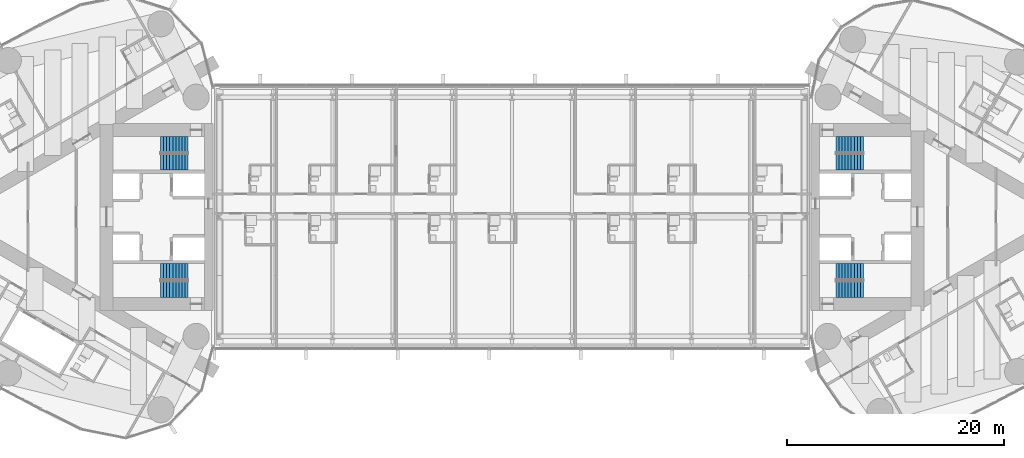
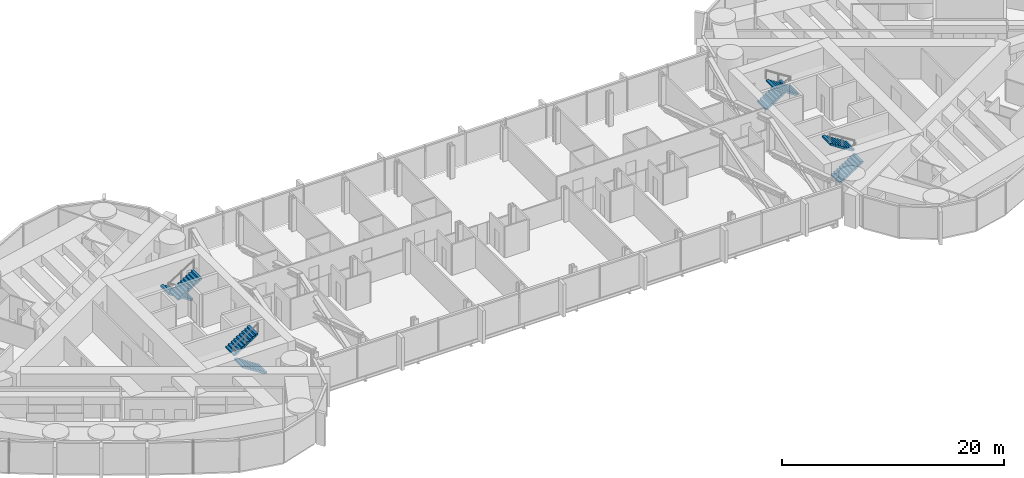
# One storey, part 20 of 22: 8 stair flights, 4 elements without a shape of their own.
"""IFC4 building model written with IfcOpenShell, lengths in metres."""

from ifc_helpers import new_model, si_unit, direction, frame, origin, place, context, subcontext, project, spatial, polyline, outline, extrude, material, type_object, element, aggregate, save


model = new_model("IFC4")

# Units and contexts
model_context = context("Model", 3, precision=1e-05, world=origin(), true_north=direction((0.0, 1.0)))
body_context = subcontext(model_context, "Body", "Model", "MODEL_VIEW")
ifc_project = project(units=[si_unit("LENGTHUNIT", "METRE"), si_unit("AREAUNIT", "SQUARE_METRE"), si_unit("VOLUMEUNIT", "CUBIC_METRE"), si_unit("PLANEANGLEUNIT", "RADIAN"), si_unit("MASSUNIT", "GRAM", prefix="KILO")], contexts=[model_context])

# Site, building, storey
site_placement = place(None, origin())
site = spatial("IfcSite", under=ifc_project, at=site_placement, CompositionType="ELEMENT")
building_placement = place(site_placement, origin())
building = spatial("IfcBuilding", under=site, at=building_placement, Name="Lancet Gate Hotel", CompositionType="ELEMENT")
storey_placement = place(building_placement, frame((0.0, 0.0, 226.10009765625)))
storey = spatial("IfcBuildingStorey", under=building, at=storey_placement, Name="L60", CompositionType="ELEMENT", Elevation=226.10009765625)

# Stair, stair flights
ifc_material_1 = material(Name="Exit stair 20 risers 1500")
stair_type = type_object("IfcStairType", Name="Exit stair 20 risers 1500", PredefinedType="HALF_TURN_STAIR", material=ifc_material_1)
stair_1_placement = place(storey_placement, origin())
stair_1 = element("IfcStair", 1, at=stair_1_placement, inside=storey, type_object=stair_type, Name="T1 stair 1 L60", PredefinedType="HALF_TURN_STAIR")
ifc_material_2 = material(Name="Stair flight 10 risers 180 rise 1500")
stair_flight_type = type_object("IfcStairFlightType", Name="Stair flight 10 risers 180 rise 1500", PredefinedType="STRAIGHT", material=ifc_material_2)
stair_flight_1_placement = place(storey_placement, frame((-29.800048828125, 6.64990234375, 0.0), z_axis=(0.0, 0.0, 1.0), x_axis=(-1.0, 0.0, 0.0)))
stair_flight_1 = element("IfcStairFlight", 2, at=stair_flight_1_placement, type_object=stair_flight_type, Name="ST1 flight 1", NumberOfRisers=10, NumberOfTreads=9, PredefinedType="STRAIGHT", RiserHeight=0.18, TreadLength=0.28, context=body_context, shape_type="SweptSolid", body=[
    extrude(outline(polyline([(0.0, 0.0), (0.0, 0.179931640625), (0.280029296875, 0.179931640625), (0.280029296875, 0.360107421875), (0.56005859375, 0.360107421875), (0.56005859375, 0.5400390625), (0.840087890625, 0.5400390625), (0.840087890625, 0.719970703125), (1.1201171875, 0.719970703125), (1.1201171875, 0.89990234375), (1.39990234375, 0.89990234375), (1.39990234375, 1.080078125), (1.679931640625, 1.080078125), (1.679931640625, 1.260009765625), (1.9599609375, 1.260009765625), (1.9599609375, 1.43994140625), (2.239990234375, 1.43994140625), (2.239990234375, 1.6201171875), (2.52001953125, 1.6201171875), (2.52001953125, 1.800048828125), (2.52001953125, 1.44189453125), (0.277099609375, 0.0), (0.0, 0.0)])), frame((0.0, 0.75, 0.0), z_axis=(0.0, -1.0, 0.0), x_axis=(1.0, 0.0, 0.0)), (0.0, 0.0, 1.0), 1.5),
])
stair_flight_2_placement = place(storey_placement, frame((-32.320068359375, 5.050048828125, 1.7998046875), z_axis=(0.0, 0.0, 1.0), x_axis=(1.0, 0.0, 0.0)))
stair_flight_2 = element("IfcStairFlight", 3, at=stair_flight_2_placement, type_object=stair_flight_type, Name="ST1 flight 2", NumberOfRisers=10, NumberOfTreads=9, PredefinedType="STRAIGHT", RiserHeight=0.18, TreadLength=0.28, context=body_context, shape_type="SweptSolid", body=[
    extrude(outline(polyline([(0.0, 0.0), (0.0, 0.179931640625), (0.280029296875, 0.179931640625), (0.280029296875, 0.360107421875), (0.56005859375, 0.360107421875), (0.56005859375, 0.5400390625), (0.840087890625, 0.5400390625), (0.840087890625, 0.719970703125), (1.1201171875, 0.719970703125), (1.1201171875, 0.89990234375), (1.39990234375, 0.89990234375), (1.39990234375, 1.080078125), (1.679931640625, 1.080078125), (1.679931640625, 1.260009765625), (1.9599609375, 1.260009765625), (1.9599609375, 1.43994140625), (2.239990234375, 1.43994140625), (2.239990234375, 1.6201171875), (2.52001953125, 1.6201171875), (2.52001953125, 1.800048828125), (2.52001953125, 1.44189453125), (0.277099609375, 0.0), (0.0, 0.0)])), frame((0.0, 0.75, 0.0), z_axis=(0.0, -1.0, 0.0), x_axis=(1.0, 0.0, 0.0)), (0.0, 0.0, 1.0), 1.5),
])
aggregate(stair_1, [stair_flight_1, stair_flight_2])

stair_2_placement = place(storey_placement, origin())
stair_2 = element("IfcStair", 4, at=stair_2_placement, inside=storey, type_object=stair_type, Name="T1 stair 2 L60", PredefinedType="HALF_TURN_STAIR")
stair_flight_3_placement = place(storey_placement, frame((-29.800048828125, -6.64990234375, 0.0), z_axis=(0.0, 0.0, 1.0), x_axis=(-1.0, 0.0, 0.0)))
stair_flight_3 = element("IfcStairFlight", 5, at=stair_flight_3_placement, type_object=stair_flight_type, Name="ST2 flight 1", NumberOfRisers=10, NumberOfTreads=9, PredefinedType="STRAIGHT", RiserHeight=0.18, TreadLength=0.28, context=body_context, shape_type="SweptSolid", body=[
    extrude(outline(polyline([(0.0, 0.0), (0.0, 0.179931640625), (0.280029296875, 0.179931640625), (0.280029296875, 0.360107421875), (0.56005859375, 0.360107421875), (0.56005859375, 0.5400390625), (0.840087890625, 0.5400390625), (0.840087890625, 0.719970703125), (1.1201171875, 0.719970703125), (1.1201171875, 0.89990234375), (1.39990234375, 0.89990234375), (1.39990234375, 1.080078125), (1.679931640625, 1.080078125), (1.679931640625, 1.260009765625), (1.9599609375, 1.260009765625), (1.9599609375, 1.43994140625), (2.239990234375, 1.43994140625), (2.239990234375, 1.6201171875), (2.52001953125, 1.6201171875), (2.52001953125, 1.800048828125), (2.52001953125, 1.44189453125), (0.277099609375, 0.0), (0.0, 0.0)])), frame((0.0, 0.75, 0.0), z_axis=(0.0, -1.0, 0.0), x_axis=(1.0, 0.0, 0.0)), (0.0, 0.0, 1.0), 1.5),
])
stair_flight_4_placement = place(storey_placement, frame((-32.320068359375, -5.050048828125, 1.7998046875), z_axis=(0.0, 0.0, 1.0), x_axis=(1.0, 0.0, 0.0)))
stair_flight_4 = element("IfcStairFlight", 6, at=stair_flight_4_placement, type_object=stair_flight_type, Name="ST2 flight 2", NumberOfRisers=10, NumberOfTreads=9, PredefinedType="STRAIGHT", RiserHeight=0.18, TreadLength=0.28, context=body_context, shape_type="SweptSolid", body=[
    extrude(outline(polyline([(0.0, 0.0), (0.0, 0.179931640625), (0.280029296875, 0.179931640625), (0.280029296875, 0.360107421875), (0.56005859375, 0.360107421875), (0.56005859375, 0.5400390625), (0.840087890625, 0.5400390625), (0.840087890625, 0.719970703125), (1.1201171875, 0.719970703125), (1.1201171875, 0.89990234375), (1.39990234375, 0.89990234375), (1.39990234375, 1.080078125), (1.679931640625, 1.080078125), (1.679931640625, 1.260009765625), (1.9599609375, 1.260009765625), (1.9599609375, 1.43994140625), (2.239990234375, 1.43994140625), (2.239990234375, 1.6201171875), (2.52001953125, 1.6201171875), (2.52001953125, 1.800048828125), (2.52001953125, 1.44189453125), (0.277099609375, 0.0), (0.0, 0.0)])), frame((0.0, 0.75, 0.0), z_axis=(0.0, -1.0, 0.0), x_axis=(1.0, 0.0, 0.0)), (0.0, 0.0, 1.0), 1.5),
])
aggregate(stair_2, [stair_flight_3, stair_flight_4])

stair_3_placement = place(storey_placement, origin())
stair_3 = element("IfcStair", 7, at=stair_3_placement, inside=storey, type_object=stair_type, Name="T2 stair 1 L60", PredefinedType="HALF_TURN_STAIR")
stair_flight_5_placement = place(storey_placement, frame((29.800048828125, -6.64990234375, 0.0), z_axis=(0.0, 0.0, 1.0), x_axis=(1.0, 0.0, 0.0)))
stair_flight_5 = element("IfcStairFlight", 8, at=stair_flight_5_placement, type_object=stair_flight_type, Name="ST3 flight 1", NumberOfRisers=10, NumberOfTreads=9, PredefinedType="STRAIGHT", RiserHeight=0.18, TreadLength=0.28, context=body_context, shape_type="SweptSolid", body=[
    extrude(outline(polyline([(0.0, 0.0), (0.0, 0.179931640625), (0.280029296875, 0.179931640625), (0.280029296875, 0.360107421875), (0.56005859375, 0.360107421875), (0.56005859375, 0.5400390625), (0.840087890625, 0.5400390625), (0.840087890625, 0.719970703125), (1.1201171875, 0.719970703125), (1.1201171875, 0.89990234375), (1.39990234375, 0.89990234375), (1.39990234375, 1.080078125), (1.679931640625, 1.080078125), (1.679931640625, 1.260009765625), (1.9599609375, 1.260009765625), (1.9599609375, 1.43994140625), (2.239990234375, 1.43994140625), (2.239990234375, 1.6201171875), (2.52001953125, 1.6201171875), (2.52001953125, 1.800048828125), (2.52001953125, 1.44189453125), (0.277099609375, 0.0), (0.0, 0.0)])), frame((0.0, 0.75, 0.0), z_axis=(0.0, -1.0, 0.0), x_axis=(1.0, 0.0, 0.0)), (0.0, 0.0, 1.0), 1.5),
])
stair_flight_6_placement = place(storey_placement, frame((32.320068359375, -5.050048828125, 1.7998046875), z_axis=(0.0, 0.0, 1.0), x_axis=(-1.0, 0.0, 0.0)))
stair_flight_6 = element("IfcStairFlight", 9, at=stair_flight_6_placement, type_object=stair_flight_type, Name="ST3 flight 2", NumberOfRisers=10, NumberOfTreads=9, PredefinedType="STRAIGHT", RiserHeight=0.18, TreadLength=0.28, context=body_context, shape_type="SweptSolid", body=[
    extrude(outline(polyline([(0.0, 0.0), (0.0, 0.179931640625), (0.280029296875, 0.179931640625), (0.280029296875, 0.360107421875), (0.56005859375, 0.360107421875), (0.56005859375, 0.5400390625), (0.840087890625, 0.5400390625), (0.840087890625, 0.719970703125), (1.1201171875, 0.719970703125), (1.1201171875, 0.89990234375), (1.39990234375, 0.89990234375), (1.39990234375, 1.080078125), (1.679931640625, 1.080078125), (1.679931640625, 1.260009765625), (1.9599609375, 1.260009765625), (1.9599609375, 1.43994140625), (2.239990234375, 1.43994140625), (2.239990234375, 1.6201171875), (2.52001953125, 1.6201171875), (2.52001953125, 1.800048828125), (2.52001953125, 1.44189453125), (0.277099609375, 0.0), (0.0, 0.0)])), frame((0.0, 0.75, 0.0), z_axis=(0.0, -1.0, 0.0), x_axis=(1.0, 0.0, 0.0)), (0.0, 0.0, 1.0), 1.5),
])
aggregate(stair_3, [stair_flight_5, stair_flight_6])

stair_4_placement = place(storey_placement, origin())
stair_4 = element("IfcStair", 10, at=stair_4_placement, inside=storey, type_object=stair_type, Name="T2 stair 2 L60", PredefinedType="HALF_TURN_STAIR")
stair_flight_7_placement = place(storey_placement, frame((29.800048828125, 6.64990234375, 0.0), z_axis=(0.0, 0.0, 1.0), x_axis=(1.0, 0.0, 0.0)))
stair_flight_7 = element("IfcStairFlight", 11, at=stair_flight_7_placement, type_object=stair_flight_type, Name="ST4 flight 1", NumberOfRisers=10, NumberOfTreads=9, PredefinedType="STRAIGHT", RiserHeight=0.18, TreadLength=0.28, context=body_context, shape_type="SweptSolid", body=[
    extrude(outline(polyline([(0.0, 0.0), (0.0, 0.179931640625), (0.280029296875, 0.179931640625), (0.280029296875, 0.360107421875), (0.56005859375, 0.360107421875), (0.56005859375, 0.5400390625), (0.840087890625, 0.5400390625), (0.840087890625, 0.719970703125), (1.1201171875, 0.719970703125), (1.1201171875, 0.89990234375), (1.39990234375, 0.89990234375), (1.39990234375, 1.080078125), (1.679931640625, 1.080078125), (1.679931640625, 1.260009765625), (1.9599609375, 1.260009765625), (1.9599609375, 1.43994140625), (2.239990234375, 1.43994140625), (2.239990234375, 1.6201171875), (2.52001953125, 1.6201171875), (2.52001953125, 1.800048828125), (2.52001953125, 1.44189453125), (0.277099609375, 0.0), (0.0, 0.0)])), frame((0.0, 0.75, 0.0), z_axis=(0.0, -1.0, 0.0), x_axis=(1.0, 0.0, 0.0)), (0.0, 0.0, 1.0), 1.5),
])
stair_flight_8_placement = place(storey_placement, frame((32.320068359375, 5.050048828125, 1.7998046875), z_axis=(0.0, 0.0, 1.0), x_axis=(-1.0, 0.0, 0.0)))
stair_flight_8 = element("IfcStairFlight", 12, at=stair_flight_8_placement, type_object=stair_flight_type, Name="ST4 flight 2", NumberOfRisers=10, NumberOfTreads=9, PredefinedType="STRAIGHT", RiserHeight=0.18, TreadLength=0.28, context=body_context, shape_type="SweptSolid", body=[
    extrude(outline(polyline([(0.0, 0.0), (0.0, 0.179931640625), (0.280029296875, 0.179931640625), (0.280029296875, 0.360107421875), (0.56005859375, 0.360107421875), (0.56005859375, 0.5400390625), (0.840087890625, 0.5400390625), (0.840087890625, 0.719970703125), (1.1201171875, 0.719970703125), (1.1201171875, 0.89990234375), (1.39990234375, 0.89990234375), (1.39990234375, 1.080078125), (1.679931640625, 1.080078125), (1.679931640625, 1.260009765625), (1.9599609375, 1.260009765625), (1.9599609375, 1.43994140625), (2.239990234375, 1.43994140625), (2.239990234375, 1.6201171875), (2.52001953125, 1.6201171875), (2.52001953125, 1.800048828125), (2.52001953125, 1.44189453125), (0.277099609375, 0.0), (0.0, 0.0)])), frame((0.0, 0.75, 0.0), z_axis=(0.0, -1.0, 0.0), x_axis=(1.0, 0.0, 0.0)), (0.0, 0.0, 1.0), 1.5),
])
aggregate(stair_4, [stair_flight_7, stair_flight_8])

save(model, "model.ifc")
